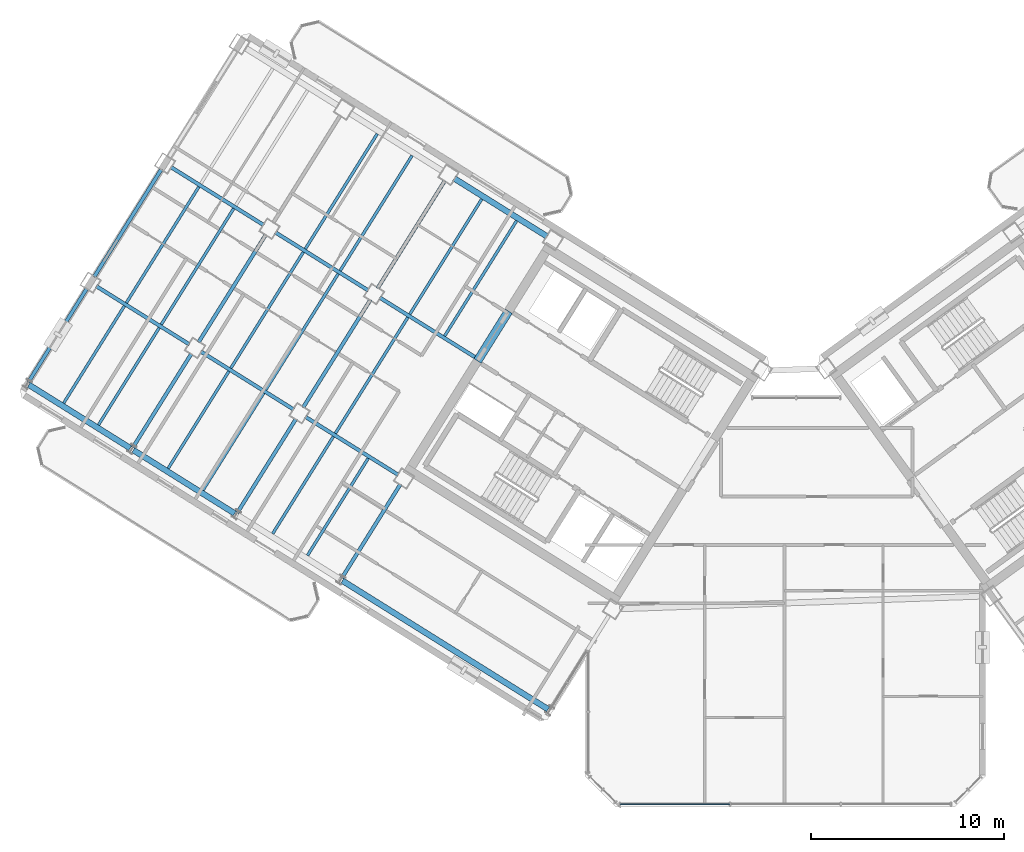
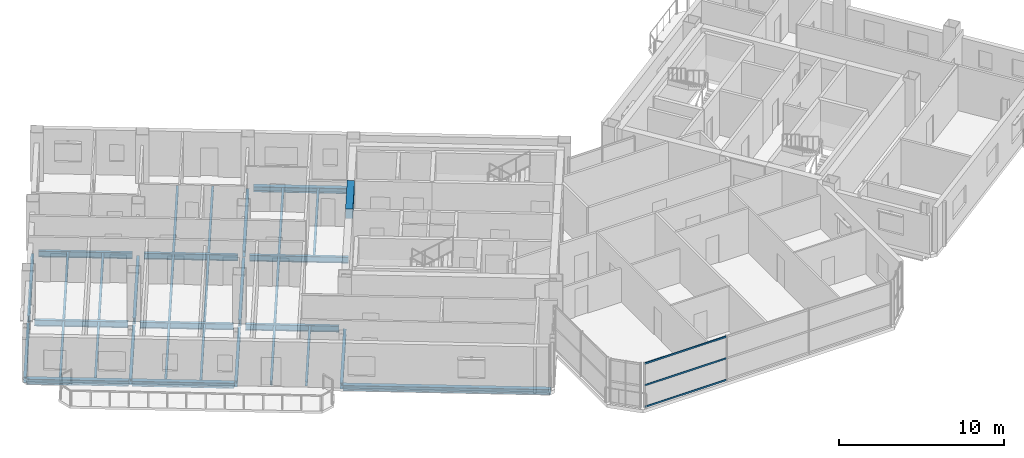
# One storey, part 7 of 27: 34 beams, 3 members, 1 element without a shape of its own.
"""IFC4 building model written with IfcOpenShell, lengths in metres."""

from ifc_helpers import new_model, si_unit, direction, frame, origin, origin_2d, place, context, subcontext, project, spatial, rectangle, hollow_rectangle, i_section, extrude, source, transform, mapped, material, material_profile, profile_set, type_object, element, aggregate, save


model = new_model("IFC4")

# Units and contexts
model_context = context("Model", 3, precision=1e-05, world=origin(), true_north=direction((0.0, 1.0)))
body_context = subcontext(model_context, "Body", "Model", "MODEL_VIEW")
ifc_project = project(units=[si_unit("LENGTHUNIT", "METRE"), si_unit("AREAUNIT", "SQUARE_METRE"), si_unit("VOLUMEUNIT", "CUBIC_METRE"), si_unit("PLANEANGLEUNIT", "RADIAN"), si_unit("MASSUNIT", "GRAM", prefix="KILO")], contexts=[model_context])

# Site, building, storey
site_placement = place(None, origin())
site = spatial("IfcSite", under=ifc_project, at=site_placement, CompositionType="ELEMENT")
building_placement = place(site_placement, origin())
building = spatial("IfcBuilding", under=site, at=building_placement, Name="Tlacorven Tower", CompositionType="ELEMENT")
storey_placement = place(building_placement, frame((0.0, 0.0, 242.10009765625)))
storey = spatial("IfcBuildingStorey", under=building, at=storey_placement, Name="L61", CompositionType="ELEMENT", Elevation=242.10009765625)

# Beams
ifc_material_1 = material(Name="Concrete C60/75", Category="concrete")
ifc_material_profile_1 = material_profile(ifc_material_1, rectangle(XDim=0.449951171875, YDim=0.699951171875, at=origin_2d()), Name="RC 450X700")
ifc_profile_set_1 = profile_set([ifc_material_profile_1], Name="Concrete C60/75")
beam_type_1 = type_object("IfcBeamType", Name="BM-LNT-700", PredefinedType="LINTEL", material=ifc_profile_set_1)
shared_shape_1 = source(origin(), body_context, "Body", "SweptSolid", [
    extrude(rectangle(XDim=0.449951171875, YDim=0.699951171875, at=origin_2d()), origin(), (0.0, 0.0, 1.0), 3.0498046875),
])
beam_1_placement = place(storey_placement, frame((27.622802734375, 27.562255859375, 2.969970703125), z_axis=(-0.529926983584, -0.848043272522, 0.0), x_axis=(0.848043272522, -0.529926983584, 0.0)))
element("IfcBeam", 1, at=beam_1_placement, inside=storey, type_object=beam_type_1, Name="L61 W core coupling lintel beam E2", PredefinedType="LINTEL", context=body_context, shape_type="MappedRepresentation", body=[
    mapped(shared_shape_1, transform((0.0, 0.0, 0.0), scale=1.0)),
])
ifc_material_2 = material(Name="Steel S355J2", Category="steel")
ifc_material_profile_2 = material_profile(ifc_material_2, i_section(OverallWidth=0.300048828125, OverallDepth=0.389892578125, WebThickness=0.010986328125, FlangeThickness=0.01904296875, at=origin_2d()), Name="HEA 400")
ifc_profile_set_2 = profile_set([ifc_material_profile_2], Name="Steel S355J2")
beam_type_2 = type_object("IfcBeamType", Name="BM-SPN-400", PredefinedType="SPANDREL", material=ifc_profile_set_2)
shared_shape_2 = source(origin(), body_context, "Body", "SweptSolid", [
    extrude(i_section(OverallWidth=0.300048828125, OverallDepth=0.389892578125, WebThickness=0.010986328125, FlangeThickness=0.01904296875, at=origin_2d()), origin(), (0.0, 0.0, 1.0), 12.599853515625),
])
beam_2_placement = place(storey_placement, frame((29.67578125, 6.882080078125, -0.445068359375), z_axis=(-0.848045108756, 0.529924045043, 0.0), x_axis=(-0.529924045043, -0.848045108756, 0.0)))
element("IfcBeam", 2, at=beam_2_placement, inside=storey, type_object=beam_type_2, Name="L61 beam BM-L61-WL4-1", PredefinedType="SPANDREL", context=body_context, shape_type="MappedRepresentation", body=[
    mapped(shared_shape_2, transform((0.0, 0.0, 0.0), scale=1.0)),
])
shared_shape_3 = source(origin(), body_context, "Body", "SweptSolid", [
    extrude(i_section(OverallWidth=0.300048828125, OverallDepth=0.389892578125, WebThickness=0.010986328125, FlangeThickness=0.01904296875, at=origin_2d()), origin(), (0.0, 0.0, 1.0), 6.199951171875),
])
for number, where, z_axis, x_axis, name in (
    (3, (13.393310546875, 17.056396484375, -0.445068359375), (-0.848033697614, 0.529942306022, 0.0), (-0.529942306022, -0.848033697614, 0.0), "L61 beam BM-L61-WL4-4"),
    (4, (7.9658203125, 20.447998046875, -0.445068359375), (-0.848051394107, 0.529913986372, 0.0), (-0.529913986372, -0.848051394107, 0.0), "L61 beam BM-L61-WL4-5"),
):
    element("IfcBeam", number, at=place(storey_placement, frame(where, z_axis=z_axis, x_axis=x_axis)), inside=storey, type_object=beam_type_2, Name=name, PredefinedType="SPANDREL", context=body_context, shape_type="MappedRepresentation", body=[
        mapped(shared_shape_3, transform((0.0, 0.0, 0.0), scale=1.0)),
    ])
shared_shape_4 = source(origin(), body_context, "Body", "SweptSolid", [
    extrude(i_section(OverallWidth=0.300048828125, OverallDepth=0.389892578125, WebThickness=0.010986328125, FlangeThickness=0.01904296875, at=origin_2d()), origin(), (0.0, 0.0, 1.0), 5.699951171875),
])
beam_3_placement = place(storey_placement, frame((29.631103515625, 31.436767578125, -0.445068359375), z_axis=(-0.848044021115, 0.529925785607, 0.0), x_axis=(-0.529925785607, -0.848044021115, 0.0)))
element("IfcBeam", 5, at=beam_3_placement, inside=storey, type_object=beam_type_2, Name="L61 beam BM-L61-WL1-3", PredefinedType="SPANDREL", context=body_context, shape_type="MappedRepresentation", body=[
    mapped(shared_shape_4, transform((0.0, 0.0, 0.0), scale=1.0)),
])
ifc_material_profile_3 = material_profile(ifc_material_2, i_section(OverallWidth=0.14990234375, OverallDepth=0.300048828125, WebThickness=0.007080078125, FlangeThickness=0.0107421875, at=origin_2d()), Name="IPE 300")
ifc_profile_set_3 = profile_set([ifc_material_profile_3], Name="Steel S355J2")
beam_type_3 = type_object("IfcBeamType", Name="BM-JST-300", PredefinedType="JOIST", material=ifc_profile_set_3)
shared_shape_5 = source(origin(), body_context, "Body", "SweptSolid", [
    extrude(i_section(OverallWidth=0.14990234375, OverallDepth=0.300048828125, WebThickness=0.007080078125, FlangeThickness=0.0107421875, at=origin_2d()), origin(), (0.0, 0.0, 1.0), 7.10009765625),
])
for number, where, z_axis, x_axis, name in (
    (6, (22.38818359375, 27.23681640625, -0.400146484375), (-0.529915484902, -0.848050457733, 0.0), (0.848050457733, -0.529915484902, 0.0), "L61 beam BM-L61-WJ3-2-2"),
    (7, (11.533203125, 34.019775390625, -0.400146484375), (-0.529915484902, -0.848050457733, 0.0), (0.848050457733, -0.529915484902, 0.0), "L61 beam BM-L61-WJ5-2-2"),
):
    element("IfcBeam", number, at=place(storey_placement, frame(where, z_axis=z_axis, x_axis=x_axis)), inside=storey, type_object=beam_type_3, Name=name, PredefinedType="JOIST", context=body_context, shape_type="MappedRepresentation", body=[
        mapped(shared_shape_5, transform((0.0, 0.0, 0.0), scale=1.0)),
    ])
shared_shape_6 = source(origin(), body_context, "Body", "SweptSolid", [
    extrude(i_section(OverallWidth=0.14990234375, OverallDepth=0.300048828125, WebThickness=0.007080078125, FlangeThickness=0.0107421875, at=origin_2d()), origin(), (0.0, 0.0, 1.0), 7.099853515625),
])
for number, where, z_axis, x_axis, name in (
    (8, (18.769775390625, 29.497802734375, -0.400146484375), (-0.529890754507, -0.848065910344, 0.0), (0.848065910344, -0.529890754507, 0.0), "L61 beam BM-L61-WJ4-2-1"),
    (9, (16.960693359375, 30.628173828125, -0.400146484375), (-0.529930937954, -0.848040801494, 0.0), (0.848040801494, -0.529930937954, 0.0), "L61 beam BM-L61-WJ4-2-2"),
    (10, (13.34228515625, 32.88916015625, -0.400146484375), (-0.529930937954, -0.848040801494, 0.0), (0.848040801494, -0.529930937954, 0.0), "L61 beam BM-L61-WJ5-2-1"),
):
    element("IfcBeam", number, at=place(storey_placement, frame(where, z_axis=z_axis, x_axis=x_axis)), inside=storey, type_object=beam_type_3, Name=name, PredefinedType="JOIST", context=body_context, shape_type="MappedRepresentation", body=[
        mapped(shared_shape_6, transform((0.0, 0.0, 0.0), scale=1.0)),
    ])
ifc_material_profile_4 = material_profile(ifc_material_2, i_section(OverallWidth=0.18994140625, OverallDepth=0.449951171875, WebThickness=0.009521484375, FlangeThickness=0.0146484375, at=origin_2d()), Name="IPE 450")
ifc_profile_set_4 = profile_set([ifc_material_profile_4], Name="Steel S355J2")
beam_type_4 = type_object("IfcBeamType", Name="BM-TWR-450", PredefinedType="BEAM", material=ifc_profile_set_4)
shared_shape_7 = source(origin(), body_context, "Body", "SweptSolid", [
    extrude(i_section(OverallWidth=0.18994140625, OverallDepth=0.449951171875, WebThickness=0.009521484375, FlangeThickness=0.0146484375, at=origin_2d()), origin(), (0.0, 0.0, 1.0), 6.010009765625),
])
beam_4_placement = place(storey_placement, frame((26.025634765625, 25.081787109375, -0.47509765625), z_axis=(-0.848043944584, 0.529925908081, 0.0), x_axis=(-0.529925908081, -0.848043944584, 0.0)))
element("IfcBeam", 11, at=beam_4_placement, inside=storey, type_object=beam_type_4, Name="L61 beam BM-L61-WL2-3", PredefinedType="BEAM", context=body_context, shape_type="MappedRepresentation", body=[
    mapped(shared_shape_7, transform((0.0, 0.0, 0.0), scale=1.0)),
])
shared_shape_8 = source(origin(), body_context, "Body", "SweptSolid", [
    extrude(i_section(OverallWidth=0.18994140625, OverallDepth=0.449951171875, WebThickness=0.009521484375, FlangeThickness=0.0146484375, at=origin_2d()), origin(), (0.0, 0.0, 1.0), 5.7001953125),
])
for number, where, z_axis, x_axis, name in (
    (12, (20.335205078125, 28.637451171875, -0.47509765625), (-0.848036800771, 0.529937340199, 0.0), (-0.529937340199, -0.848036800771, 0.0), "L61 beam BM-L61-WL2-4"),
    (13, (14.90771484375, 32.029052734375, -0.47509765625), (-0.848056048787, 0.529906537151, 0.0), (-0.529906537151, -0.848056048787, 0.0), "L61 beam BM-L61-WL2-5"),
    (14, (16.466796875, 22.44677734375, -0.47509765625), (-0.848056048787, 0.529906537151, 0.0), (-0.529906537151, -0.848056048787, 0.0), "L61 beam BM-L61-WL3-4"),
    (15, (11.039306640625, 25.83837890625, -0.47509765625), (-0.848056048787, 0.529906537151, 0.0), (-0.529906537151, -0.848056048787, 0.0), "L61 beam BM-L61-WL3-5"),
):
    element("IfcBeam", number, at=place(storey_placement, frame(where, z_axis=z_axis, x_axis=x_axis)), inside=storey, type_object=beam_type_4, Name=name, PredefinedType="BEAM", context=body_context, shape_type="MappedRepresentation", body=[
        mapped(shared_shape_8, transform((0.0, 0.0, 0.0), scale=1.0)),
    ])
shared_shape_9 = source(origin(), body_context, "Body", "SweptSolid", [
    extrude(i_section(OverallWidth=0.18994140625, OverallDepth=0.449951171875, WebThickness=0.009521484375, FlangeThickness=0.0146484375, at=origin_2d()), origin(), (0.0, 0.0, 1.0), 5.699951171875),
])
beam_5_placement = place(storey_placement, frame((21.894287109375, 19.055419921875, -0.47509765625), z_axis=(-0.848044021115, 0.529925785607, 0.0), x_axis=(-0.529925785607, -0.848044021115, 0.0)))
element("IfcBeam", 16, at=beam_5_placement, inside=storey, type_object=beam_type_4, Name="L61 beam BM-L61-WL3-3", PredefinedType="BEAM", context=body_context, shape_type="MappedRepresentation", body=[
    mapped(shared_shape_9, transform((0.0, 0.0, 0.0), scale=1.0)),
])
shared_shape_10 = source(origin(), body_context, "Body", "SweptSolid", [
    extrude(i_section(OverallWidth=0.18994140625, OverallDepth=0.449951171875, WebThickness=0.009521484375, FlangeThickness=0.0146484375, at=origin_2d()), origin(), (0.0, 0.0, 1.0), 5.75),
])
for number, where, z_axis, x_axis, name in (
    (17, (22.005615234375, 18.572998046875, -0.47509765625), (-0.529934056882, -0.848038852504, 0.0), (0.848038852504, -0.529934056882, 0.0), "L61 beam BM-L61-WT3-2"),
    (18, (11.150634765625, 25.35595703125, -0.47509765625), (-0.529934056882, -0.848038852504, 0.0), (0.848038852504, -0.529934056882, 0.0), "L61 beam BM-L61-WT5-3"),
):
    element("IfcBeam", number, at=place(storey_placement, frame(where, z_axis=z_axis, x_axis=x_axis)), inside=storey, type_object=beam_type_4, Name=name, PredefinedType="BEAM", context=body_context, shape_type="MappedRepresentation", body=[
        mapped(shared_shape_10, transform((0.0, 0.0, 0.0), scale=1.0)),
    ])
shared_shape_11 = source(origin(), body_context, "Body", "SweptSolid", [
    extrude(i_section(OverallWidth=0.18994140625, OverallDepth=0.449951171875, WebThickness=0.009521484375, FlangeThickness=0.0146484375, at=origin_2d()), origin(), (0.0, 0.0, 1.0), 6.599853515625),
])
beam_6_placement = place(storey_placement, frame((24.31494140625, 34.345947265625, -0.47509765625), z_axis=(-0.529942412256, -0.848033631227, 0.0), x_axis=(0.848033631227, -0.529942412256, 0.0)))
element("IfcBeam", 19, at=beam_6_placement, inside=storey, type_object=beam_type_4, Name="L61 beam BM-L61-WT4-1", PredefinedType="BEAM", context=body_context, shape_type="MappedRepresentation", body=[
    mapped(shared_shape_11, transform((0.0, 0.0, 0.0), scale=1.0)),
])
shared_shape_12 = source(origin(), body_context, "Body", "SweptSolid", [
    extrude(i_section(OverallWidth=0.18994140625, OverallDepth=0.449951171875, WebThickness=0.009521484375, FlangeThickness=0.0146484375, at=origin_2d()), origin(), (0.0, 0.0, 1.0), 6.60009765625),
])
for number, where, z_axis, x_axis, name in (
    (20, (20.446533203125, 28.1552734375, -0.47509765625), (-0.529925788294, -0.848044019436, 0.0), (0.848044019436, -0.529925788294, 0.0), "L61 beam BM-L61-WT4-2"),
    (21, (15.01904296875, 31.546875, -0.47509765625), (-0.529925788294, -0.848044019436, 0.0), (0.848044019436, -0.529925788294, 0.0), "L61 beam BM-L61-WT5-2"),
    (22, (9.591552734375, 34.938232421875, -0.47509765625), (-0.529925788294, -0.848044019436, 0.0), (0.848044019436, -0.529925788294, 0.0), "L61 beam BM-L61-WT6-2"),
):
    element("IfcBeam", number, at=place(storey_placement, frame(where, z_axis=z_axis, x_axis=x_axis)), inside=storey, type_object=beam_type_4, Name=name, PredefinedType="BEAM", context=body_context, shape_type="MappedRepresentation", body=[
        mapped(shared_shape_12, transform((0.0, 0.0, 0.0), scale=1.0)),
    ])
shared_shape_13 = source(origin(), body_context, "Body", "SweptSolid", [
    extrude(i_section(OverallWidth=0.18994140625, OverallDepth=0.449951171875, WebThickness=0.009521484375, FlangeThickness=0.0146484375, at=origin_2d()), origin(), (0.0, 0.0, 1.0), 5.750244140625),
])
for number, where, z_axis, x_axis, name in (
    (23, (16.578125, 21.964599609375, -0.47509765625), (-0.529914976044, -0.848050775699, 0.0), (0.848050775699, -0.529914976044, 0.0), "L61 beam BM-L61-WT4-3"),
    (24, (5.72314453125, 28.74755859375, -0.47509765625), (-0.529914976044, -0.848050775699, 0.0), (0.848050775699, -0.529914976044, 0.0), "L61 beam BM-L61-WT6-3"),
):
    element("IfcBeam", number, at=place(storey_placement, frame(where, z_axis=z_axis, x_axis=x_axis)), inside=storey, type_object=beam_type_4, Name=name, PredefinedType="BEAM", context=body_context, shape_type="MappedRepresentation", body=[
        mapped(shared_shape_13, transform((0.0, 0.0, 0.0), scale=1.0)),
    ])
shared_shape_14 = source(origin(), body_context, "Body", "SweptSolid", [
    extrude(i_section(OverallWidth=0.14990234375, OverallDepth=0.300048828125, WebThickness=0.007080078125, FlangeThickness=0.0107421875, at=origin_2d()), origin(), (0.0, 0.0, 1.0), 7.044921875),
])
for number, where, z_axis, x_axis, name in (
    (25, (28.03662109375, 32.25048828125, -0.400146484375), (-0.529899256491, -0.848060598053, 0.0), (0.848060598053, -0.529899256491, 0.0), "L61 beam BM-L61-WJ3-1-1"),
    (26, (26.2275390625, 33.380859375, -0.400146484375), (-0.529939753148, -0.848035292917, 0.0), (0.848035292917, -0.529939753148, 0.0), "L61 beam BM-L61-WJ3-1-2"),
    (27, (22.609130859375, 35.641845703125, -0.400146484375), (-0.52991483005, -0.848050866925, 0.0), (0.848050866925, -0.52991483005, 0.0), "L61 beam BM-L61-WJ4-1-1"),
):
    element("IfcBeam", number, at=place(storey_placement, frame(where, z_axis=z_axis, x_axis=x_axis)), inside=storey, type_object=beam_type_3, Name=name, PredefinedType="JOIST", context=body_context, shape_type="MappedRepresentation", body=[
        mapped(shared_shape_14, transform((0.0, 0.0, 0.0), scale=1.0)),
    ])
shared_shape_15 = source(origin(), body_context, "Body", "SweptSolid", [
    extrude(i_section(OverallWidth=0.14990234375, OverallDepth=0.300048828125, WebThickness=0.007080078125, FlangeThickness=0.0107421875, at=origin_2d()), origin(), (0.0, 0.0, 1.0), 5.945068359375),
])
for number, where, z_axis, x_axis, name in (
    (28, (20.3291015625, 19.91552734375, -0.400146484375), (-0.529914037113, -0.848051362401, 0.0), (0.848051362401, -0.529914037113, 0.0), "L61 beam BM-L61-WJ3-3-1"),
    (29, (18.519775390625, 21.046142578125, -0.400146484375), (-0.529914037113, -0.848051362401, 0.0), (0.848051362401, -0.529914037113, 0.0), "L61 beam BM-L61-WJ3-3-2"),
    (30, (14.9013671875, 23.30712890625, -0.400146484375), (-0.529884501938, -0.848069817059, 0.0), (0.848069817059, -0.529884501938, 0.0), "L61 beam BM-L61-WJ4-3-1"),
    (31, (9.473876953125, 26.698486328125, -0.400146484375), (-0.529914037113, -0.848051362401, 0.0), (0.848051362401, -0.529914037113, 0.0), "L61 beam BM-L61-WJ5-3-1"),
    (32, (7.664794921875, 27.8291015625, -0.400146484375), (-0.529914037113, -0.848051362401, 0.0), (0.848051362401, -0.529914037113, 0.0), "L61 beam BM-L61-WJ5-3-2"),
):
    element("IfcBeam", number, at=place(storey_placement, frame(where, z_axis=z_axis, x_axis=x_axis)), inside=storey, type_object=beam_type_3, Name=name, PredefinedType="JOIST", context=body_context, shape_type="MappedRepresentation", body=[
        mapped(shared_shape_15, transform((0.0, 0.0, 0.0), scale=1.0)),
    ])
shared_shape_16 = source(origin(), body_context, "Body", "SweptSolid", [
    extrude(i_section(OverallWidth=0.14990234375, OverallDepth=0.300048828125, WebThickness=0.007080078125, FlangeThickness=0.0107421875, at=origin_2d()), origin(), (0.0, 0.0, 1.0), 7.045166015625),
])
beam_7_placement = place(storey_placement, frame((20.800048828125, 36.7724609375, -0.400146484375), z_axis=(-0.529924179428, -0.848045024782, 0.0), x_axis=(0.848045024782, -0.529924179428, 0.0)))
element("IfcBeam", 33, at=beam_7_placement, inside=storey, type_object=beam_type_3, Name="L61 beam BM-L61-WJ4-1-2", PredefinedType="JOIST", context=body_context, shape_type="MappedRepresentation", body=[
    mapped(shared_shape_16, transform((0.0, 0.0, 0.0), scale=1.0)),
])
shared_shape_17 = source(origin(), body_context, "Body", "SweptSolid", [
    extrude(i_section(OverallWidth=0.14990234375, OverallDepth=0.300048828125, WebThickness=0.007080078125, FlangeThickness=0.0107421875, at=origin_2d()), origin(), (0.0, 0.0, 1.0), 5.94482421875),
])
beam_8_placement = place(storey_placement, frame((13.09228515625, 24.4375, -0.400146484375), z_axis=(-0.529932492401, -0.848039830136, 0.0), x_axis=(0.848039830136, -0.529932492401, 0.0)))
element("IfcBeam", 34, at=beam_8_placement, inside=storey, type_object=beam_type_3, Name="L61 beam BM-L61-WJ4-3-2", PredefinedType="JOIST", context=body_context, shape_type="MappedRepresentation", body=[
    mapped(shared_shape_17, transform((0.0, 0.0, 0.0), scale=1.0)),
])

# Curtain wall, members
ifc_material_3 = material(Name="Dark solar low-E double glazing in aluminium frame", Category="aluminium")
curtain_wall_type = type_object("IfcCurtainWallType", Name="CW-TWR-HIGH", PredefinedType="USERDEFINED", material=ifc_material_3)
curtain_wall_placement = place(storey_placement, origin())
curtain_wall = element("IfcCurtainWall", 35, at=curtain_wall_placement, inside=storey, type_object=curtain_wall_type, Name="L61 CW-TWR-HIGH Curtain Wall 279", ObjectType="UNITISED CURTAIN WALL", PredefinedType="USERDEFINED")
ifc_material_4 = material(Name="Aluminium 6063-T6 anodised", Category="aluminium")
ifc_material_profile_5 = material_profile(ifc_material_4, hollow_rectangle(XDim=0.054931640625, YDim=0.1201171875, WallThickness=0.00341796875, at=origin_2d()), Name="ALU TRANSOM 55X120")
ifc_profile_set_5 = profile_set([ifc_material_profile_5], Name="Aluminium 6063-T6 anodised")
member_type = type_object("IfcMemberType", Name="CWT-03", PredefinedType="USERDEFINED", material=ifc_profile_set_5)
shared_shape_18 = source(origin(), body_context, "Body", "SweptSolid", [
    extrude(hollow_rectangle(XDim=0.054931640625, YDim=0.1201171875, WallThickness=0.00341796875, at=origin_2d()), origin(), (0.0, 0.0, 1.0), 5.689697265625),
])
member_1_placement = place(storey_placement, frame((39.10400390625, 1.9599609375, 0.059814453125), z_axis=(-1.0, 0.0, 0.0), x_axis=(0.0, -1.0, 0.0)))
member_1 = element("IfcMember", 36, at=member_1_placement, type_object=member_type, Name="CW-L61-279 Transom 7", ObjectType="TRANSOM", PredefinedType="USERDEFINED", context=body_context, shape_type="MappedRepresentation", body=[
    mapped(shared_shape_18, transform((0.0, 0.0, 0.0), scale=1.0)),
])
member_2_placement = place(storey_placement, frame((39.10400390625, 1.9599609375, 1.659912109375), z_axis=(-1.0, 0.0, 0.0), x_axis=(0.0, -1.0, 0.0)))
member_2 = element("IfcMember", 37, at=member_2_placement, type_object=member_type, Name="CW-L61-279 Transom 8", ObjectType="TRANSOM", PredefinedType="USERDEFINED", context=body_context, shape_type="MappedRepresentation", body=[
    mapped(shared_shape_18, transform((0.0, 0.0, 0.0), scale=1.0)),
])
member_3_placement = place(storey_placement, frame((39.10400390625, 1.9599609375, 3.260009765625), z_axis=(-1.0, 0.0, 0.0), x_axis=(0.0, -1.0, 0.0)))
member_3 = element("IfcMember", 38, at=member_3_placement, type_object=member_type, Name="CW-L61-279 Transom 9", ObjectType="TRANSOM", PredefinedType="USERDEFINED", context=body_context, shape_type="MappedRepresentation", body=[
    mapped(shared_shape_18, transform((0.0, 0.0, 0.0), scale=1.0)),
])
aggregate(curtain_wall, [member_1, member_2, member_3])

save(model, "model.ifc")
